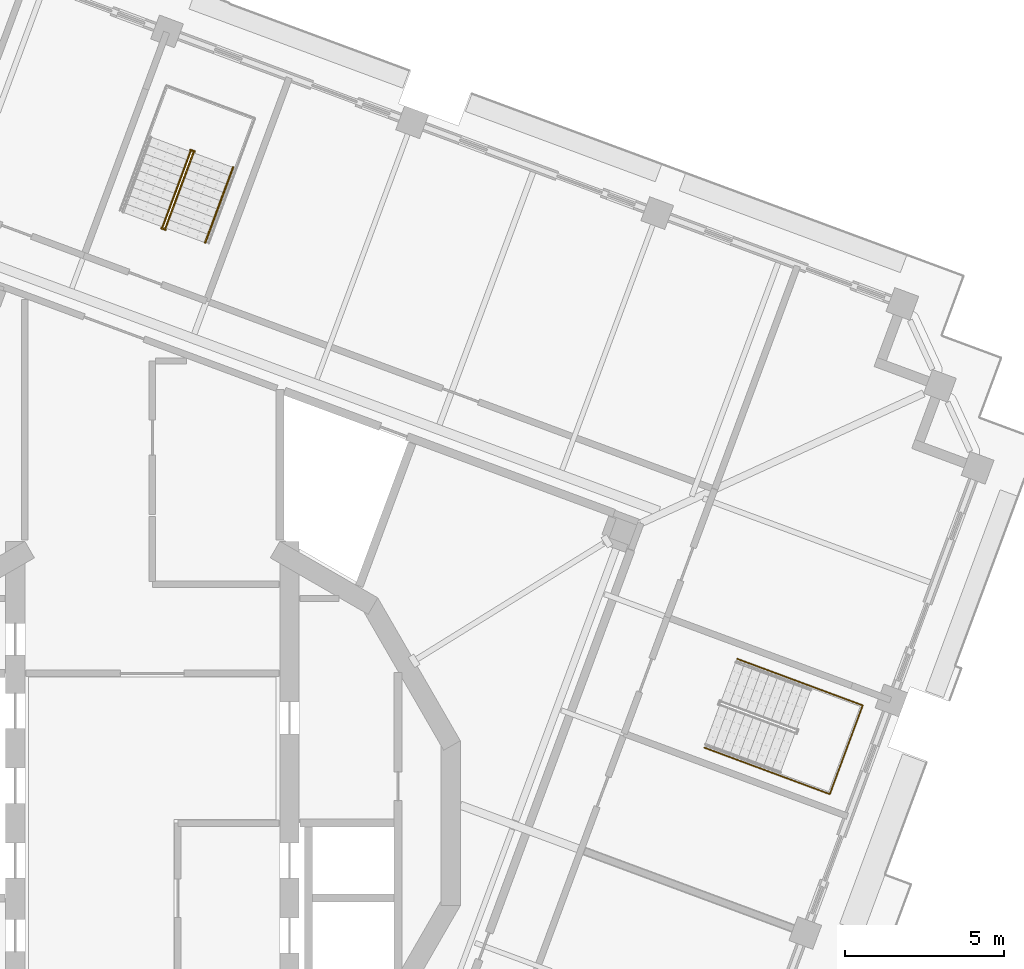
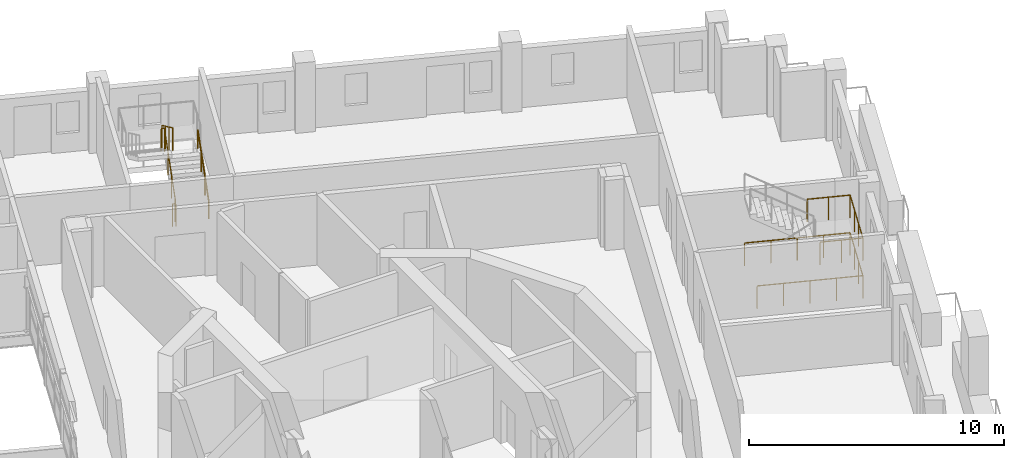
# One storey, part 18 of 20: 6 railings.
"""IFC4 building model written with IfcOpenShell, lengths in metres."""

from ifc_helpers import new_model, si_unit, direction, frame, origin, origin_2d, place, context, subcontext, project, spatial, circle, extrude, material, type_object, element, save


model = new_model("IFC4")

# Units and contexts
model_context = context("Model", 3, precision=1e-05, world=origin(), true_north=direction((0.0, 1.0)))
body_context = subcontext(model_context, "Body", "Model", "MODEL_VIEW")
ifc_project = project(units=[si_unit("LENGTHUNIT", "METRE"), si_unit("AREAUNIT", "SQUARE_METRE"), si_unit("VOLUMEUNIT", "CUBIC_METRE"), si_unit("PLANEANGLEUNIT", "RADIAN"), si_unit("MASSUNIT", "GRAM", prefix="KILO")], contexts=[model_context])

# Site, building, storey
site_placement = place(None, origin())
site = spatial("IfcSite", under=ifc_project, at=site_placement, CompositionType="ELEMENT")
building_placement = place(site_placement, origin())
building = spatial("IfcBuilding", under=site, at=building_placement, Name="Cantera Rosa Tower", CompositionType="ELEMENT")
storey_placement = place(building_placement, frame((0.0, 0.0, 313.300048828125)))
storey = spatial("IfcBuildingStorey", under=building, at=storey_placement, Name="L69", CompositionType="ELEMENT", Elevation=313.300048828125)

# Railings
ifc_material_1 = material(Name="Steel S355J2 (EN 10025-2)", Category="steel")
railing_type_1 = type_object("IfcRailingType", Name="STAIR GUARD 1100", PredefinedType="GUARDRAIL", material=ifc_material_1)
railing_1_placement = place(storey_placement, frame((17.31494140625, 2.37109375, 0.0)))
element("IfcRailing", 1, at=railing_1_placement, inside=storey, type_object=railing_type_1, Name="L69 ST-61 stair guard 4", PredefinedType="GUARDRAIL", context=body_context, shape_type="SweptSolid", body=[
    extrude(circle(Radius=0.02392578125, at=origin_2d()), frame((0.0, 0.0, 1.076171875), z_axis=(0.937682096729, -0.3474942956, 0.0), x_axis=(0.3474942956, 0.937682096729, 0.0)), (0.0, 0.0, 1.0), 4.197998046875),
    extrude(circle(Radius=0.02392578125, at=origin_2d()), frame((3.936279296875, -1.458740234375, 1.076171875), z_axis=(0.347472311651, 0.937690243436, 0.0), x_axis=(-0.937690243436, 0.347472311651, 0.0)), (0.0, 0.0, 1.0), 2.969970703125),
    extrude(circle(Radius=0.02392578125, at=origin_2d()), frame((4.96826171875, 1.326171875, 1.076171875), z_axis=(-0.937682096729, 0.3474942956, 0.0), x_axis=(-0.3474942956, -0.937682096729, 0.0)), (0.0, 0.0, 1.0), 4.197998046875),
    extrude(circle(Radius=0.02099609375, at=origin_2d()), origin(), (0.0, 0.0, 1.0), 1.052001953125),
    extrude(circle(Radius=0.02099609375, at=origin_2d()), frame((0.984130859375, -0.36474609375, 0.0)), (0.0, 0.0, 1.0), 1.052001953125),
    extrude(circle(Radius=0.02099609375, at=origin_2d()), frame((1.96826171875, -0.7294921875, 0.0)), (0.0, 0.0, 1.0), 1.052001953125),
    extrude(circle(Radius=0.02099609375, at=origin_2d()), frame((2.9521484375, -1.093994140625, 0.0)), (0.0, 0.0, 1.0), 1.052001953125),
    extrude(circle(Radius=0.02099609375, at=origin_2d()), frame((3.936279296875, -1.458740234375, 0.0)), (0.0, 0.0, 1.0), 1.052001953125),
    extrude(circle(Radius=0.02099609375, at=origin_2d()), frame((4.2802734375, -0.530517578125, 0.0)), (0.0, 0.0, 1.0), 1.052001953125),
    extrude(circle(Radius=0.02099609375, at=origin_2d()), frame((4.624267578125, 0.39794921875, 0.0)), (0.0, 0.0, 1.0), 1.052001953125),
    extrude(circle(Radius=0.02099609375, at=origin_2d()), frame((4.96826171875, 1.326171875, 0.0)), (0.0, 0.0, 1.0), 1.052001953125),
    extrude(circle(Radius=0.02099609375, at=origin_2d()), frame((3.984130859375, 1.69091796875, 0.0)), (0.0, 0.0, 1.0), 1.052001953125),
    extrude(circle(Radius=0.02099609375, at=origin_2d()), frame((3.0, 2.0556640625, 0.0)), (0.0, 0.0, 1.0), 1.052001953125),
    extrude(circle(Radius=0.02099609375, at=origin_2d()), frame((2.01611328125, 2.420166015625, 0.0)), (0.0, 0.0, 1.0), 1.052001953125),
    extrude(circle(Radius=0.02099609375, at=origin_2d()), frame((1.031982421875, 2.784912109375, 0.0)), (0.0, 0.0, 1.0), 1.052001953125),
])
railing_2_placement = place(storey_placement, frame((19.6552734375, 1.50390625, 1.800048828125)))
element("IfcRailing", 2, at=railing_2_placement, inside=storey, type_object=railing_type_1, Name="L69 ST-61 stair guard 5", PredefinedType="GUARDRAIL", context=body_context, shape_type="SweptSolid", body=[
    extrude(circle(Radius=0.02392578125, at=origin_2d()), frame((0.0, 0.0, 1.076171875), z_axis=(0.937660486946, -0.347552602091, 0.0), x_axis=(0.347552602091, 0.937660486946, 0.0)), (0.0, 0.0, 1.0), 1.7021484375),
    extrude(circle(Radius=0.02392578125, at=origin_2d()), frame((1.595947265625, -0.591552734375, 1.076171875), z_axis=(0.347472311651, 0.937690243436, 0.0), x_axis=(-0.937690243436, 0.347472311651, 0.0)), (0.0, 0.0, 1.0), 2.969970703125),
    extrude(circle(Radius=0.02392578125, at=origin_2d()), frame((2.6279296875, 2.193359375, 1.076171875), z_axis=(-0.937660486946, 0.347552602091, 0.0), x_axis=(-0.347552602091, -0.937660486946, 0.0)), (0.0, 0.0, 1.0), 1.7021484375),
    extrude(circle(Radius=0.02099609375, at=origin_2d()), origin(), (0.0, 0.0, 1.0), 1.052001953125),
    extrude(circle(Radius=0.02099609375, at=origin_2d()), frame((0.7978515625, -0.2958984375, 0.0)), (0.0, 0.0, 1.0), 1.052001953125),
    extrude(circle(Radius=0.02099609375, at=origin_2d()), frame((1.595947265625, -0.591552734375, 0.0)), (0.0, 0.0, 1.0), 1.052001953125),
    extrude(circle(Radius=0.02099609375, at=origin_2d()), frame((1.93994140625, 0.336669921875, 0.0)), (0.0, 0.0, 1.0), 1.052001953125),
    extrude(circle(Radius=0.02099609375, at=origin_2d()), frame((2.283935546875, 1.26513671875, 0.0)), (0.0, 0.0, 1.0), 1.052001953125),
    extrude(circle(Radius=0.02099609375, at=origin_2d()), frame((2.6279296875, 2.193359375, 0.0)), (0.0, 0.0, 1.0), 1.052001953125),
    extrude(circle(Radius=0.02099609375, at=origin_2d()), frame((1.830078125, 2.4892578125, 0.0)), (0.0, 0.0, 1.0), 1.052001953125),
    extrude(circle(Radius=0.02099609375, at=origin_2d()), frame((1.031982421875, 2.784912109375, 0.0)), (0.0, 0.0, 1.0), 1.052001953125),
])
railing_3_placement = place(storey_placement, frame((0.412109375, 18.670166015625, 0.179931640625)))
element("IfcRailing", 3, at=railing_3_placement, inside=storey, type_object=railing_type_1, Name="L69 ST-62 stair guard 1", PredefinedType="GUARDRAIL", context=body_context, shape_type="SweptSolid", body=[
    extrude(circle(Radius=0.02392578125, at=origin_2d()), frame((0.0, 0.0, 1.076171875), z_axis=(0.292306804437, 0.788747577403, 0.540771662738), x_axis=(-0.937679794265, 0.347500508527, 0.0)), (0.0, 0.0, 1.0), 2.995849609375),
    extrude(circle(Radius=0.02392578125, at=origin_2d()), frame((0.875732421875, 2.363037109375, 2.6962890625), z_axis=(0.740919573429, 0.671593765389, 0.0), x_axis=(-0.671593765389, 0.740919573429, 0.0)), (0.0, 0.0, 1.0), 0.056396484375),
    extrude(circle(Radius=0.02392578125, at=origin_2d()), frame((0.91748046875, 2.40087890625, 2.6962890625), z_axis=(-0.937925419525, 0.346837004095, 0.0), x_axis=(-0.346837004095, -0.937925419525, 0.0)), (0.0, 0.0, 1.0), 0.14990234375),
    extrude(circle(Radius=0.02099609375, at=origin_2d()), origin(), (0.0, 0.0, 1.0), 1.052001953125),
    extrude(circle(Radius=0.02099609375, at=origin_2d()), frame((0.2919921875, 0.78759765625, 0.5400390625)), (0.0, 0.0, 1.0), 1.052001953125),
    extrude(circle(Radius=0.02099609375, at=origin_2d()), frame((0.583740234375, 1.575439453125, 1.080078125)), (0.0, 0.0, 1.0), 1.052001953125),
    extrude(circle(Radius=0.02099609375, at=origin_2d()), frame((0.875732421875, 2.363037109375, 1.6201171875)), (0.0, 0.0, 1.0), 1.052001953125),
    extrude(circle(Radius=0.02099609375, at=origin_2d()), frame((0.91748046875, 2.40087890625, 1.6201171875)), (0.0, 0.0, 1.0), 1.052001953125),
    extrude(circle(Radius=0.02099609375, at=origin_2d()), frame((0.77685546875, 2.452880859375, 1.6201171875)), (0.0, 0.0, 1.0), 1.052001953125),
])
railing_4_placement = place(storey_placement, frame((1.196044921875, 21.067138671875, 1.97998046875)))
element("IfcRailing", 4, at=railing_4_placement, inside=storey, type_object=railing_type_1, Name="L69 ST-62 stair guard 2", PredefinedType="GUARDRAIL", context=body_context, shape_type="SweptSolid", body=[
    extrude(circle(Radius=0.02392578125, at=origin_2d()), frame((0.0, 0.0, 1.076171875), z_axis=(-0.292319685639, -0.78878233546, 0.540713998944), x_axis=(0.937679794265, -0.347500508527, 0.0)), (0.0, 0.0, 1.0), 2.995849609375),
    extrude(circle(Radius=0.02099609375, at=origin_2d()), origin(), (0.0, 0.0, 1.0), 1.052001953125),
    extrude(circle(Radius=0.02099609375, at=origin_2d()), frame((-0.2919921875, -0.78759765625, 0.5400390625)), (0.0, 0.0, 1.0), 1.052001953125),
    extrude(circle(Radius=0.02099609375, at=origin_2d()), frame((-0.583740234375, -1.575439453125, 1.079833984375)), (0.0, 0.0, 1.0), 1.052001953125),
    extrude(circle(Radius=0.02099609375, at=origin_2d()), frame((-0.875732421875, -2.363037109375, 1.619873046875)), (0.0, 0.0, 1.0), 1.052001953125),
])
railing_5_placement = place(storey_placement, frame((0.419189453125, 18.6142578125, 0.0)))
element("IfcRailing", 5, at=railing_5_placement, inside=storey, type_object=railing_type_1, Name="L69 ST-62 stair guard 3", PredefinedType="GUARDRAIL", context=body_context, shape_type="SweptSolid", body=[
    extrude(circle(Radius=0.02392578125, at=origin_2d()), frame((0.0, 0.0, 1.076171875), z_axis=(-0.937925419525, 0.346837004095, 0.0), x_axis=(-0.346837004095, -0.937925419525, 0.0)), (0.0, 0.0, 1.0), 0.14990234375),
    extrude(circle(Radius=0.02099609375, at=origin_2d()), origin(), (0.0, 0.0, 1.0), 1.052001953125),
    extrude(circle(Radius=0.02099609375, at=origin_2d()), frame((-0.140625, 0.052001953125, 0.0)), (0.0, 0.0, 1.0), 1.052001953125),
])
ifc_material_2 = material(Name="Steel S355J2 (EN 10025-2)", Category="steel")
railing_type_2 = type_object("IfcRailingType", Name="STAIR HANDRAIL 900", PredefinedType="HANDRAIL", material=ifc_material_2)
railing_6_placement = place(storey_placement, frame((1.655517578125, 18.20947265625, 0.179931640625)))
element("IfcRailing", 6, at=railing_6_placement, inside=storey, type_object=railing_type_2, Name="L69 ST-62 stair handrail 1", PredefinedType="HANDRAIL", context=body_context, shape_type="SweptSolid", body=[
    extrude(circle(Radius=0.02392578125, at=origin_2d()), frame((0.0, 0.0, 0.8759765625), z_axis=(0.292325593449, 0.788716780987, 0.540806422673), x_axis=(-0.937668094043, 0.347532078253, 0.0)), (0.0, 0.0, 1.0), 2.995849609375),
    extrude(circle(Radius=0.02099609375, at=origin_2d()), origin(), (0.0, 0.0, 1.0), 0.851806640625),
    extrude(circle(Radius=0.02099609375, at=origin_2d()), frame((0.2919921875, 0.78759765625, 0.5400390625)), (0.0, 0.0, 1.0), 0.851806640625),
    extrude(circle(Radius=0.02099609375, at=origin_2d()), frame((0.583740234375, 1.5751953125, 1.080078125)), (0.0, 0.0, 1.0), 0.851806640625),
    extrude(circle(Radius=0.02099609375, at=origin_2d()), frame((0.875732421875, 2.36279296875, 1.6201171875)), (0.0, 0.0, 1.0), 0.851806640625),
])

save(model, "model.ifc")
